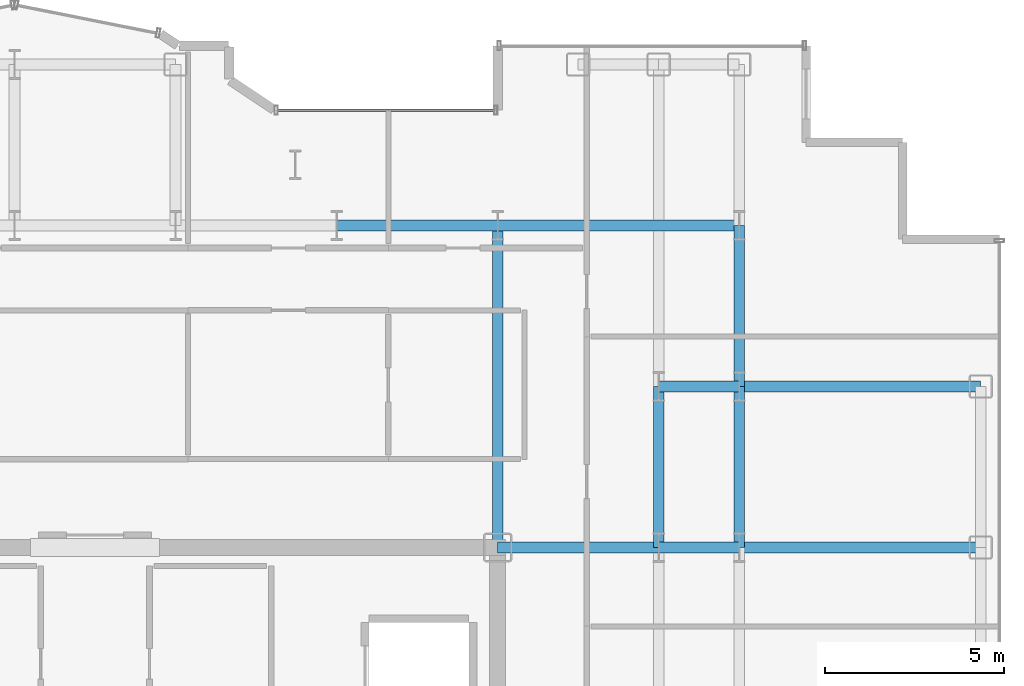
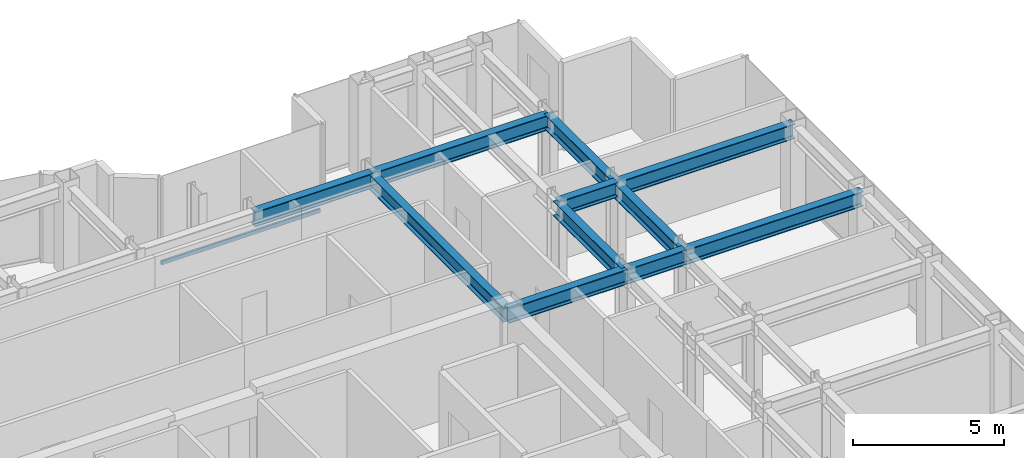
# One storey, part 11 of 20: 11 beams, 1 member, 1 element without a shape of its own.
"""IFC4 building model written with IfcOpenShell, lengths in metres."""

from ifc_helpers import new_model, si_unit, direction, frame, origin, origin_2d, place, context, subcontext, project, spatial, hollow_rectangle, i_section, extrude, source, transform, mapped, material, layer, layer_set, material_profile, profile_set, type_object, element, aggregate, save


model = new_model("IFC4")

# Units and contexts
model_context = context("Model", 3, precision=1e-05, world=origin(), true_north=direction((0.0, 1.0)))
body_context = subcontext(model_context, "Body", "Model", "MODEL_VIEW")
ifc_project = project(units=[si_unit("LENGTHUNIT", "METRE"), si_unit("AREAUNIT", "SQUARE_METRE"), si_unit("VOLUMEUNIT", "CUBIC_METRE"), si_unit("PLANEANGLEUNIT", "RADIAN"), si_unit("MASSUNIT", "GRAM", prefix="KILO")], contexts=[model_context])

# Site, building, storey
site_placement = place(None, origin())
site = spatial("IfcSite", under=ifc_project, at=site_placement, CompositionType="ELEMENT")
building_placement = place(site_placement, origin())
building = spatial("IfcBuilding", under=site, at=building_placement, Name="Nefas-Gora Pilgrimage Tower", CompositionType="ELEMENT")
storey_placement = place(building_placement, frame((0.0, 0.0, 214.199951171875)))
storey = spatial("IfcBuildingStorey", under=building, at=storey_placement, Name="L53", CompositionType="ELEMENT", Elevation=214.199951171875)

# Beams
ifc_material_1 = material(Name="Steel S355", Category="steel")
ifc_material_profile_1 = material_profile(ifc_material_1, i_section(OverallWidth=0.300048828125, OverallDepth=0.60009765625, WebThickness=0.015380859375, FlangeThickness=0.030029296875, FilletRadius=0.027099609375, at=origin_2d()), Name="HEB 600")
ifc_profile_set_1 = profile_set([ifc_material_profile_1], Name="Steel S355")
beam_type = type_object("IfcBeamType", Name="BM-GIR-HEB600", PredefinedType="BEAM", material=ifc_profile_set_1)
shared_shape_1 = source(origin(), body_context, "Body", "SweptSolid", [
    extrude(i_section(OverallWidth=0.300048828125, OverallDepth=0.60009765625, WebThickness=0.015380859375, FlangeThickness=0.030029296875, FilletRadius=0.027099609375, at=origin_2d()), origin(), (0.0, 0.0, 1.0), 9.0),
])
beam_placement = place(storey_placement, frame((11.25, 9.0, 3.25), z_axis=(0.0, 1.0, 0.0), x_axis=(-1.0, 0.0, 0.0)))
element("IfcBeam", 1, at=beam_placement, inside=storey, type_object=beam_type, Name="L53 G-04 beam", PredefinedType="BEAM", context=body_context, shape_type="MappedRepresentation", body=[
    mapped(shared_shape_1, transform((0.0, 0.0, 0.0), x_axis=(1.0, 0.0, 0.0), y_axis=(0.0, 1.0, 0.0), z_axis=(0.0, 0.0, 1.0), scale=1.0)),
])
shared_shape_2 = source(origin(), body_context, "Body", "SweptSolid", [
    extrude(i_section(OverallWidth=0.300048828125, OverallDepth=0.60009765625, WebThickness=0.015380859375, FlangeThickness=0.030029296875, FilletRadius=0.027099609375, at=origin_2d()), origin(), (0.0, 0.0, 1.0), 4.5),
])
for number, where, z_axis, x_axis, name in (
    (2, (6.75, 18.0, 3.25), (1.0, 0.0, 0.0), (0.0, 1.0, 0.0), "L53 G-04 beam"),
    (3, (11.25, 9.0, 3.25), (1.0, 0.0, 0.0), (0.0, 1.0, 0.0), "L53 G-04 beam"),
    (4, (15.75, 9.0, 3.25), (0.0, 1.0, 0.0), (-1.0, 0.0, 0.0), "L53 G-04 beam"),
    (5, (18.0, 9.0, 3.25), (0.0, 1.0, 0.0), (-1.0, 0.0, 0.0), "L53 G-04 beam"),
    (6, (18.0, 13.5, 3.25), (0.0, 1.0, 0.0), (-1.0, 0.0, 0.0), "L53 G-04 beam"),
):
    element("IfcBeam", number, at=place(storey_placement, frame(where, z_axis=z_axis, x_axis=x_axis)), inside=storey, type_object=beam_type, Name=name, PredefinedType="BEAM", context=body_context, shape_type="MappedRepresentation", body=[
        mapped(shared_shape_2, transform((0.0, 0.0, 0.0), x_axis=(1.0, 0.0, 0.0), y_axis=(0.0, 1.0, 0.0), z_axis=(0.0, 0.0, 1.0), scale=1.0)),
    ])
shared_shape_3 = source(origin(), body_context, "Body", "SweptSolid", [
    extrude(i_section(OverallWidth=0.300048828125, OverallDepth=0.60009765625, WebThickness=0.015380859375, FlangeThickness=0.030029296875, FilletRadius=0.027099609375, at=origin_2d()), origin(), (0.0, 0.0, 1.0), 6.75),
])
for number, where, z_axis, x_axis, name in (
    (7, (11.25, 18.0, 3.25), (1.0, 0.0, 0.0), (0.0, 1.0, 0.0), "L53 G-04 beam"),
    (8, (18.0, 9.0, 3.25), (1.0, 0.0, 0.0), (0.0, 1.0, 0.0), "L53 G-04 beam"),
    (9, (18.0, 13.5, 3.25), (1.0, 0.0, 0.0), (0.0, 1.0, 0.0), "L53 G-04 beam"),
):
    element("IfcBeam", number, at=place(storey_placement, frame(where, z_axis=z_axis, x_axis=x_axis)), inside=storey, type_object=beam_type, Name=name, PredefinedType="BEAM", context=body_context, shape_type="MappedRepresentation", body=[
        mapped(shared_shape_3, transform((0.0, 0.0, 0.0), x_axis=(1.0, 0.0, 0.0), y_axis=(0.0, 1.0, 0.0), z_axis=(0.0, 0.0, 1.0), scale=1.0)),
    ])
shared_shape_4 = source(origin(), body_context, "Body", "SweptSolid", [
    extrude(i_section(OverallWidth=0.300048828125, OverallDepth=0.60009765625, WebThickness=0.015380859375, FlangeThickness=0.030029296875, FilletRadius=0.027099609375, at=origin_2d()), origin(), (0.0, 0.0, 1.0), 2.25),
])
for number, where, z_axis, x_axis, name in (
    (10, (15.75, 9.0, 3.25), (1.0, 0.0, 0.0), (0.0, 1.0, 0.0), "L53 G-04 beam"),
    (11, (15.75, 13.5, 3.25), (1.0, 0.0, 0.0), (0.0, 1.0, 0.0), "L53 G-04 beam"),
):
    element("IfcBeam", number, at=place(storey_placement, frame(where, z_axis=z_axis, x_axis=x_axis)), inside=storey, type_object=beam_type, Name=name, PredefinedType="BEAM", context=body_context, shape_type="MappedRepresentation", body=[
        mapped(shared_shape_4, transform((0.0, 0.0, 0.0), x_axis=(1.0, 0.0, 0.0), y_axis=(0.0, 1.0, 0.0), z_axis=(0.0, 0.0, 1.0), scale=1.0)),
    ])

# Curtain wall, member
ifc_material_2 = material(Name="Dark ceramic-fritted solar-control aluminium-glass curtain wall", Category="aluminium")
ifc_layer = layer(ifc_material_2, 0.219970703125)
ifc_layer_set = layer_set([ifc_layer], Name="Dark ceramic-fritted solar-control aluminium-glass curtain wall")
curtain_wall_type = type_object("IfcCurtainWallType", Name="CW-SYS-5", PredefinedType="NOTDEFINED", material=ifc_layer_set)
curtain_wall_placement = place(storey_placement, origin())
curtain_wall = element("IfcCurtainWall", 12, at=curtain_wall_placement, inside=storey, type_object=curtain_wall_type, Name="L53 Unitised Curtain Wall CW5", PredefinedType="NOTDEFINED")
ifc_material_3 = material(Name="Anodised architectural aluminium", Category="aluminium")
ifc_material_profile_2 = material_profile(ifc_material_3, hollow_rectangle(XDim=0.080078125, YDim=0.159912109375, WallThickness=0.00439453125, InnerFilletRadius=0.00439453125, OuterFilletRadius=0.009033203125, at=origin_2d()), Name="ALU TRANSOM 80x160")
ifc_profile_set_2 = profile_set([ifc_material_profile_2], Name="Anodised architectural aluminium")
member_type = type_object("IfcMemberType", Name="CWM-TRN-5", PredefinedType="USERDEFINED", material=ifc_profile_set_2)
shared_shape_5 = source(origin(), body_context, "Body", "SweptSolid", [
    extrude(hollow_rectangle(XDim=0.080078125, YDim=0.159912109375, WallThickness=0.00439453125, InnerFilletRadius=0.00439453125, OuterFilletRadius=0.009033203125, at=origin_2d()), origin(), (0.0, 0.0, 1.0), 6.052001953125),
])
member_placement = place(storey_placement, frame((11.159912109375, 21.219970703125, 0.050048828125), z_axis=(-1.0, 0.0, 0.0), x_axis=(0.0, -1.0, 0.0)))
member = element("IfcMember", 13, at=member_placement, type_object=member_type, Name="CW5 Spandrel Transom", ObjectType="TRANSOM", PredefinedType="USERDEFINED", context=body_context, shape_type="MappedRepresentation", body=[
    mapped(shared_shape_5, transform((0.0, 0.0, 0.0), x_axis=(1.0, 0.0, 0.0), y_axis=(0.0, 1.0, 0.0), z_axis=(0.0, 0.0, 1.0), scale=1.0)),
])
aggregate(curtain_wall, [member])

save(model, "model.ifc")
